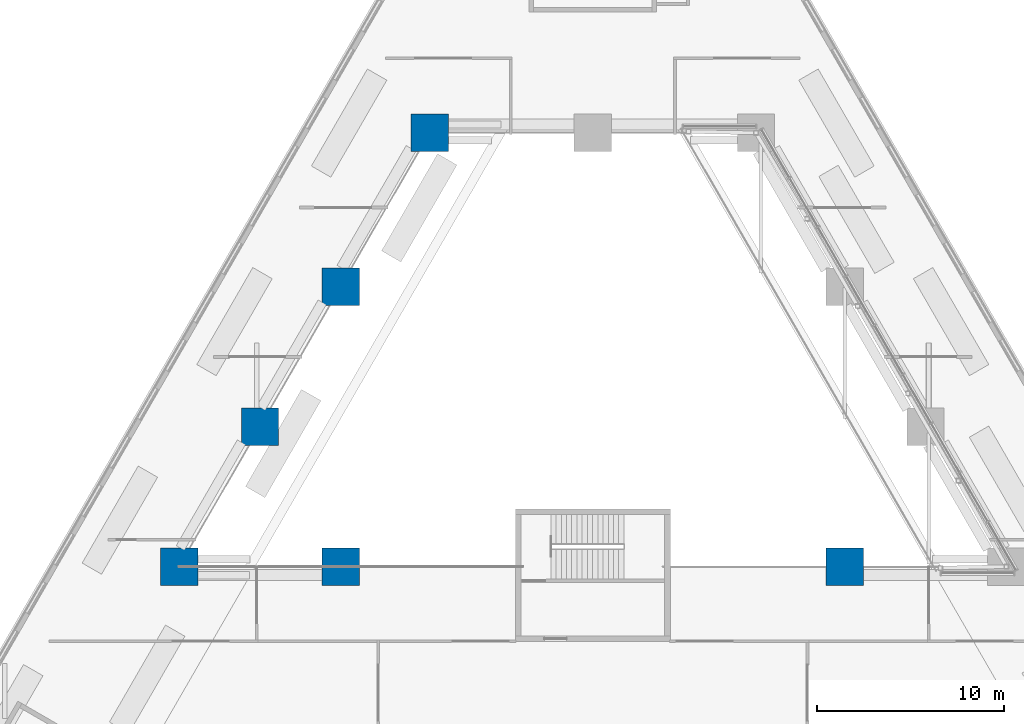
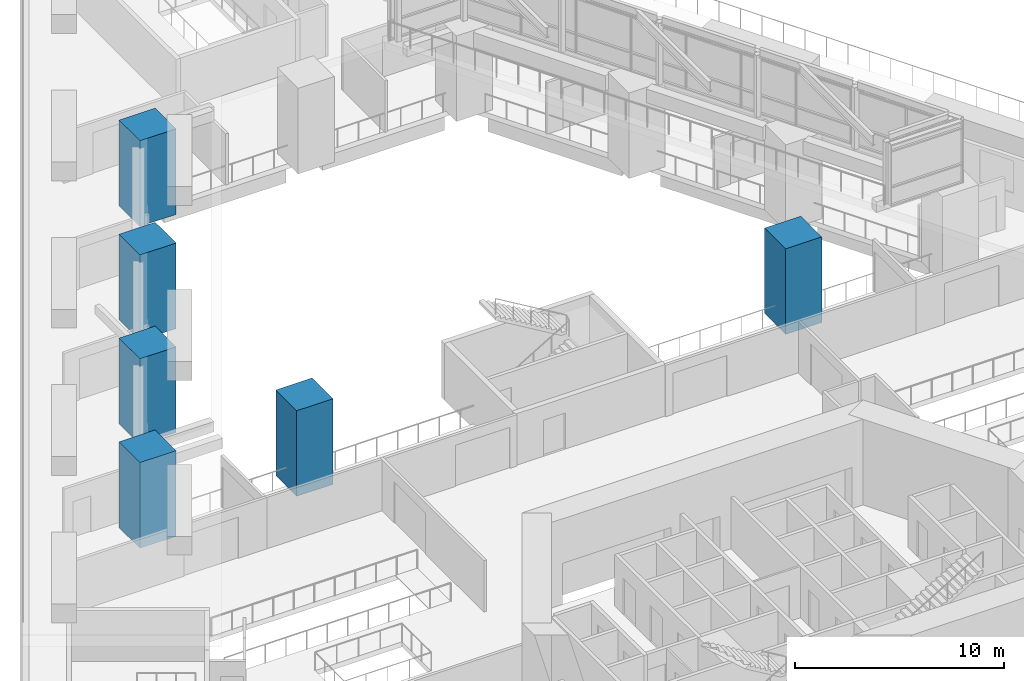
# One storey, part 1 of 19: 6 columns.
"""IFC4 building model written with IfcOpenShell, lengths in metres."""

from ifc_helpers import new_model, si_unit, direction, frame, origin, origin_2d, place, context, subcontext, project, spatial, rectangle, extrude, material, material_profile, profile_set, type_object, element, save


model = new_model("IFC4")

# Units and contexts
model_context = context("Model", 3, precision=1e-05, world=origin(), true_north=direction((0.0, 1.0)))
body_context = subcontext(model_context, "Body", "Model", "MODEL_VIEW")
ifc_project = project(units=[si_unit("LENGTHUNIT", "METRE"), si_unit("AREAUNIT", "SQUARE_METRE"), si_unit("VOLUMEUNIT", "CUBIC_METRE"), si_unit("PLANEANGLEUNIT", "RADIAN"), si_unit("MASSUNIT", "GRAM", prefix="KILO")], contexts=[model_context])

# Site, building, storey
site_placement = place(None, origin())
site = spatial("IfcSite", under=ifc_project, at=site_placement, CompositionType="ELEMENT")
building_placement = place(site_placement, origin())
building = spatial("IfcBuilding", under=site, at=building_placement, Name="Fogline Exchange Tower", CompositionType="ELEMENT")
storey_placement = place(building_placement, frame((0.0, 0.0, 20.0)))
storey = spatial("IfcBuildingStorey", under=building, at=storey_placement, Name="L03", CompositionType="ELEMENT", Elevation=20.0)

# Columns
ifc_material = material(Name="Concrete C80", Category="concrete")
ifc_material_profile = material_profile(ifc_material, rectangle(XDim=2.0, YDim=2.0, at=origin_2d()), Name="RC 2000x2000")
ifc_profile_set = profile_set([ifc_material_profile], Name="Concrete C80")
column_type = type_object("IfcColumnType", Name="MC02", PredefinedType="COLUMN", material=ifc_profile_set)
for number, where, z_axis, x_axis, name in (
    (1, (-8.739990234375, 56.0, 0.0), (0.0, 0.0, 1.0), (1.0, 0.0, 0.0), "M01"),
    (2, (-22.157958984375, 32.760009765625, 0.0), (0.0, 0.0, 1.0), (1.0, 0.0, 0.0), "M04"),
    (3, (-13.5, 47.756103515625, 0.0), (0.0, 0.0, 1.0), (1.0, 0.0, 0.0), "M05"),
    (4, (-13.5, 32.760009765625, 0.0), (0.0, 0.0, 1.0), (1.0, 0.0, 0.0), "M06"),
    (5, (13.5, 32.760009765625, 0.0), (0.0, 0.0, 1.0), (1.0, 0.0, 0.0), "M09"),
    (6, (-17.8291015625, 40.258056640625, 0.0), (0.0, 0.0, 1.0), (1.0, 0.0, 0.0), "M11"),
):
    element("IfcColumn", number, at=place(storey_placement, frame(where, z_axis=z_axis, x_axis=x_axis)), inside=storey, type_object=column_type, Name=name, PredefinedType="COLUMN", context=body_context, shape_type="SweptSolid", body=[
        extrude(rectangle(XDim=2.0, YDim=2.0, at=origin_2d()), origin(), (0.0, 0.0, 1.0), 5.0),
    ])

save(model, "model.ifc")
